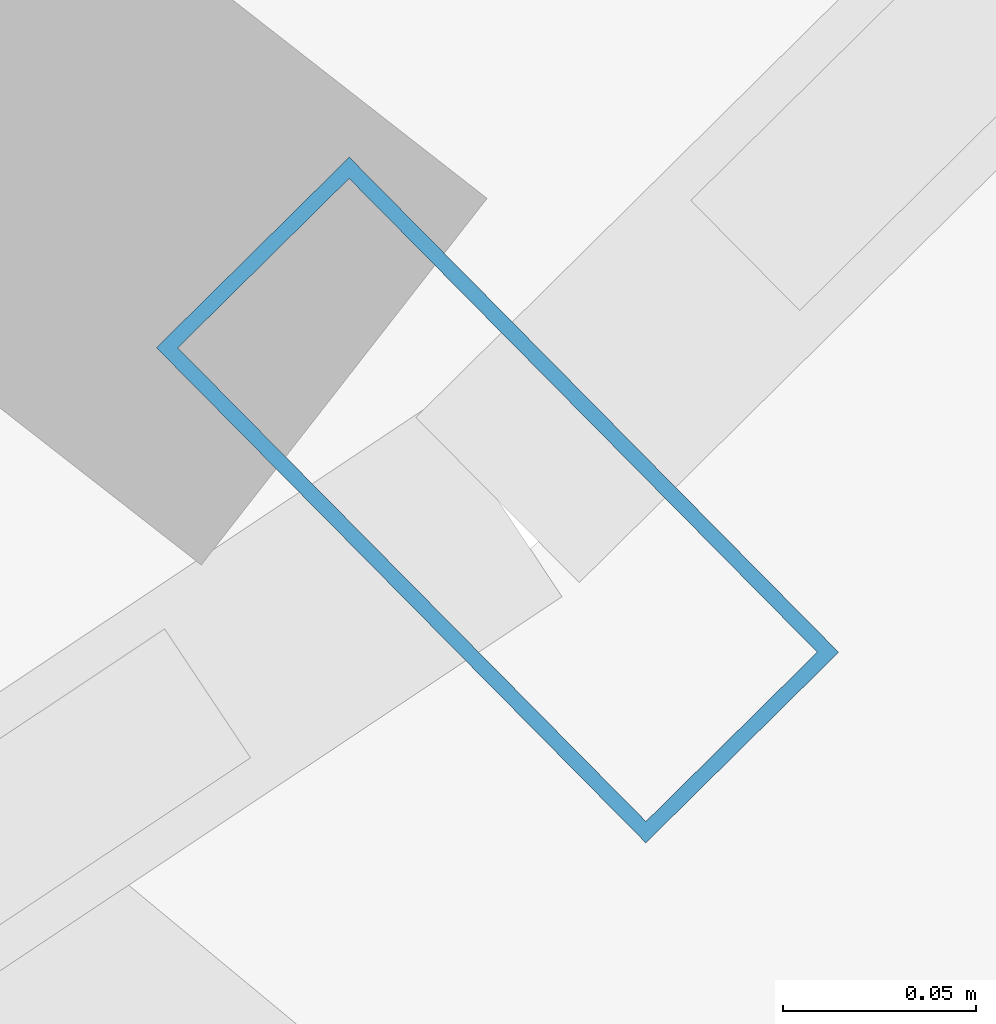
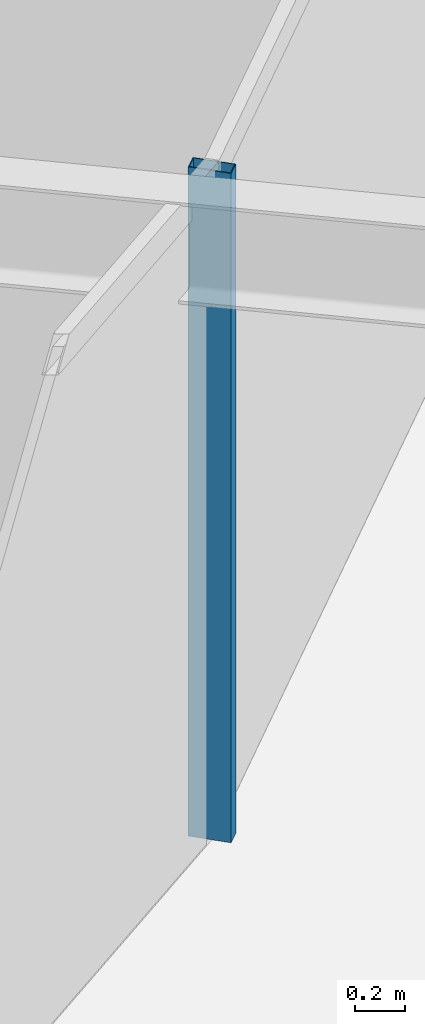
# One storey, part 8 of 19: 1 member, 1 element without a shape of its own.
"""IFC4 building model written with IfcOpenShell, lengths in metres."""

from ifc_helpers import new_model, si_unit, direction, frame, origin, origin_2d, place, context, subcontext, project, spatial, hollow_rectangle, extrude, material, layer, layer_set, material_profile, profile_set, type_object, element, aggregate, save


model = new_model("IFC4")

# Units and contexts
model_context = context("Model", 3, precision=1e-05, world=origin(), true_north=direction((0.0, 1.0)))
body_context = subcontext(model_context, "Body", "Model", "MODEL_VIEW")
ifc_project = project(units=[si_unit("LENGTHUNIT", "METRE"), si_unit("AREAUNIT", "SQUARE_METRE"), si_unit("VOLUMEUNIT", "CUBIC_METRE"), si_unit("PLANEANGLEUNIT", "RADIAN"), si_unit("MASSUNIT", "GRAM", prefix="KILO")], contexts=[model_context])

# Site, building, storey
site_placement = place(None, origin())
site = spatial("IfcSite", under=ifc_project, at=site_placement, CompositionType="ELEMENT")
building_placement = place(site_placement, origin())
building = spatial("IfcBuilding", under=site, at=building_placement, Name="Veldorina Hangang Commons", CompositionType="ELEMENT")
storey_placement = place(building_placement, frame((0.0, 0.0, 77.199951171875)))
storey = spatial("IfcBuildingStorey", under=building, at=storey_placement, Name="L19", CompositionType="ELEMENT", Elevation=77.199951171875)

# Curtain wall, member
ifc_material_1 = material(Name="Glass Low-E Triple IGU", Category="glass")
ifc_layer = layer(ifc_material_1, 0.179931640625)
ifc_layer_set = layer_set([ifc_layer], Name="Glass Low-E Triple IGU")
curtain_wall_type = type_object("IfcCurtainWallType", Name="CW-SYS-Z1", PredefinedType="NOTDEFINED", material=ifc_layer_set)
curtain_wall_placement = place(storey_placement, origin())
curtain_wall = element("IfcCurtainWall", 1, at=curtain_wall_placement, inside=storey, type_object=curtain_wall_type, Name="L19 unitised curtain wall CW-L19-R2", PredefinedType="NOTDEFINED")
ifc_material_2 = material(Name="Aluminium Anodized AA6063-T6", Category="aluminium")
ifc_material_profile = material_profile(ifc_material_2, hollow_rectangle(XDim=0.070068359375, YDim=0.179931640625, WallThickness=0.00390625, at=origin_2d()), Name="ALU-RHS-180x70x4")
ifc_profile_set = profile_set([ifc_material_profile], Name="Aluminium Anodized AA6063-T6")
member_type = type_object("IfcMemberType", Name="CW-MUL-180", PredefinedType="MULLION", material=ifc_profile_set)
member_placement = place(storey_placement, frame((50.717529296875, 8.818115234375, 0.0), z_axis=(0.0, 0.0, 1.0), x_axis=(0.711241289464, 0.702947955514, 0.0)))
member = element("IfcMember", 2, at=member_placement, type_object=member_type, Name="CW-L19-R2 vertical mullion 3", PredefinedType="MULLION", context=body_context, shape_type="SweptSolid", body=[
    extrude(hollow_rectangle(XDim=0.070068359375, YDim=0.179931640625, WallThickness=0.00390625, at=origin_2d()), origin(), (0.0, 0.0, 1.0), 3.300048828125),
])
aggregate(curtain_wall, [member])

save(model, "model.ifc")
